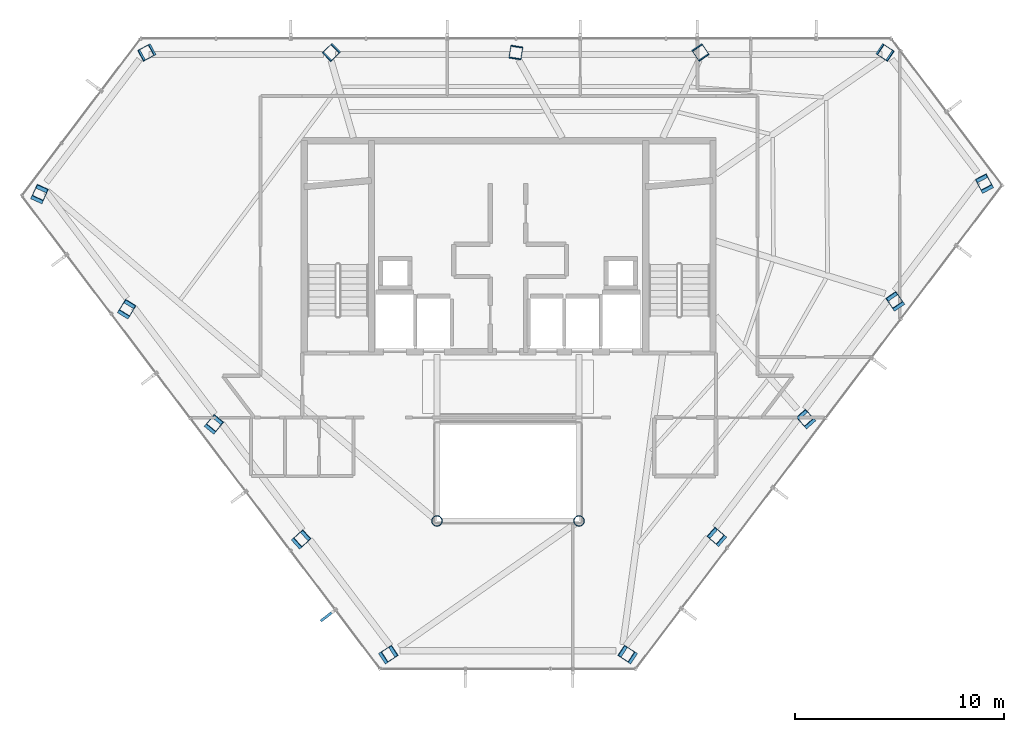
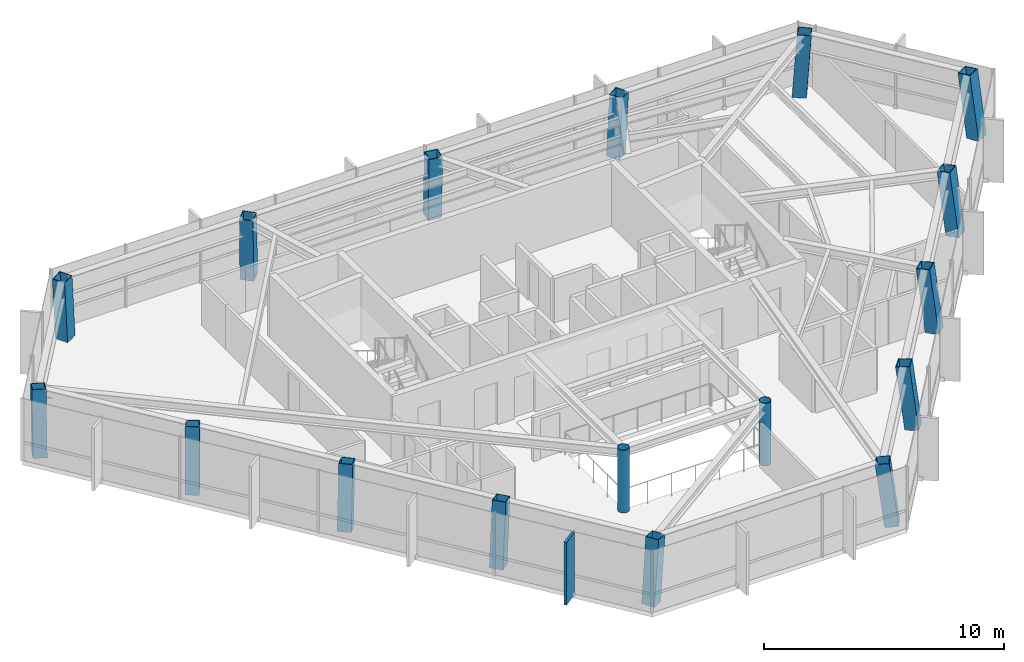
# One storey, part 1 of 27: 17 columns, 1 member, 1 element without a shape of its own.
"""IFC4 building model written with IfcOpenShell, lengths in metres."""

from ifc_helpers import new_model, si_unit, direction, frame, origin, origin_2d, place, context, subcontext, project, spatial, rectangle, hollow_rectangle, hollow_circle, extrude, material, layer, layer_set, material_profile, profile_set, type_object, element, aggregate, save


model = new_model("IFC4")

# Units and contexts
model_context = context("Model", 3, precision=1e-05, world=origin(), true_north=direction((0.0, 1.0)))
body_context = subcontext(model_context, "Body", "Model", "MODEL_VIEW")
ifc_project = project(units=[si_unit("LENGTHUNIT", "METRE"), si_unit("AREAUNIT", "SQUARE_METRE"), si_unit("VOLUMEUNIT", "CUBIC_METRE"), si_unit("PLANEANGLEUNIT", "RADIAN"), si_unit("MASSUNIT", "GRAM", prefix="KILO")], contexts=[model_context])

# Site, building, storey
site_placement = place(None, origin())
site = spatial("IfcSite", under=ifc_project, at=site_placement, CompositionType="ELEMENT")
building_placement = place(site_placement, origin())
building = spatial("IfcBuilding", under=site, at=building_placement, Name="Zarrinselat Tower", CompositionType="ELEMENT")
storey_placement = place(building_placement, frame((0.0, 0.0, 225.760009765625)))
storey = spatial("IfcBuildingStorey", under=building, at=storey_placement, Name="L56", CompositionType="ELEMENT", Elevation=225.760009765625)

# Columns
ifc_material_1 = material(Name="Steel S355J2", Category="steel")
ifc_material_profile_1 = material_profile(ifc_material_1, hollow_circle(Radius=0.25390625, WallThickness=0.02001953125, at=origin_2d()), Name="CHS 508x20")
ifc_profile_set_1 = profile_set([ifc_material_profile_1], Name="Steel S355J2")
column_type_1 = type_object("IfcColumnType", Name="COL-CHS508", PredefinedType="COLUMN", material=ifc_profile_set_1)
for number, where, z_axis, x_axis, name in (
    (1, (35.0, 25.199951171875, 0.0), (0.0, 0.0, 1.0), (1.0, 0.0, 0.0), "L56 Atrium Corner Column 1"),
    (2, (41.800048828125, 25.199951171875, 0.0), (0.0, 0.0, 1.0), (1.0, 0.0, 0.0), "L56 Atrium Corner Column 2"),
):
    element("IfcColumn", number, at=place(storey_placement, frame(where, z_axis=z_axis, x_axis=x_axis)), inside=storey, type_object=column_type_1, Name=name, PredefinedType="COLUMN", context=body_context, shape_type="SweptSolid", body=[
        extrude(hollow_circle(Radius=0.25390625, WallThickness=0.02001953125, at=origin_2d()), origin(), (0.0, 0.0, 1.0), 3.179931640625),
    ])
ifc_material_2 = material(Name="Steel S355J2", Category="steel")
ifc_material_profile_2 = material_profile(ifc_material_2, hollow_rectangle(XDim=0.60009765625, YDim=0.60009765625, WallThickness=0.030029296875, at=origin_2d()), Name="SHS 600x600x30")
ifc_profile_set_2 = profile_set([ifc_material_profile_2], Name="Steel S355J2")
column_type_2 = type_object("IfcColumnType", Name="COL-SHS600", PredefinedType="COLUMN", material=ifc_profile_set_2)
column_1_placement = place(storey_placement, frame((56.41650390625, 47.644287109375, 0.0), z_axis=(0.055157184898, -0.036541634995, 0.997808796246), x_axis=(0.552293119913, 0.833649992321, 0.0)))
element("IfcColumn", 3, at=column_1_placement, inside=storey, type_object=column_type_2, Name="L56 Framed-Tube Column T01", PredefinedType="COLUMN", context=body_context, shape_type="SweptSolid", body=[
    extrude(hollow_rectangle(XDim=0.60009765625, YDim=0.60009765625, WallThickness=0.030029296875, at=origin_2d()), origin(), (0.0, 0.0, 1.0), 3.18701171875),
])
column_2_placement = place(storey_placement, frame((47.599365234375, 47.644287109375, 0.0), z_axis=(0.024620937935, -0.036586253567, 0.999027154518), x_axis=(0.829634225755, 0.558307309156, 0.0)))
element("IfcColumn", 4, at=column_2_placement, inside=storey, type_object=column_type_2, Name="L56 Framed-Tube Column T02", PredefinedType="COLUMN", context=body_context, shape_type="SweptSolid", body=[
    extrude(hollow_rectangle(XDim=0.60009765625, YDim=0.60009765625, WallThickness=0.030029296875, at=origin_2d()), origin(), (0.0, 0.0, 1.0), 3.18310546875),
])
column_3_placement = place(storey_placement, frame((38.782470703125, 47.644287109375, 0.0), z_axis=(-0.005984364795, -0.036596692403, 0.999312198206), x_axis=(0.986892561917, -0.161378657924, 0.0)))
element("IfcColumn", 5, at=column_3_placement, inside=storey, type_object=column_type_2, Name="L56 Framed-Tube Column T03", PredefinedType="COLUMN", context=body_context, shape_type="SweptSolid", body=[
    extrude(hollow_rectangle(XDim=0.60009765625, YDim=0.60009765625, WallThickness=0.030029296875, at=origin_2d()), origin(), (0.0, 0.0, 1.0), 3.18212890625),
])
column_4_placement = place(storey_placement, frame((29.965576171875, 47.644287109375, 0.0), z_axis=(-0.036649433498, -0.036572761043, 0.99865872658), x_axis=(0.706365967986, -0.707846819072, 0.0)))
element("IfcColumn", 6, at=column_4_placement, inside=storey, type_object=column_type_2, Name="L56 Framed-Tube Column T04", PredefinedType="COLUMN", context=body_context, shape_type="SweptSolid", body=[
    extrude(hollow_rectangle(XDim=0.60009765625, YDim=0.60009765625, WallThickness=0.030029296875, at=origin_2d()), origin(), (0.0, 0.0, 1.0), 3.18408203125),
])
column_5_placement = place(storey_placement, frame((21.1484375, 47.644287109375, 0.0), z_axis=(-0.067058934383, -0.036514967695, 0.997080616828), x_axis=(0.478219820724, -0.878240173908, 0.0)))
element("IfcColumn", 7, at=column_5_placement, inside=storey, type_object=column_type_2, Name="L56 Framed-Tube Column T05", PredefinedType="COLUMN", context=body_context, shape_type="SweptSolid", body=[
    extrude(hollow_rectangle(XDim=0.60009765625, YDim=0.60009765625, WallThickness=0.030029296875, at=origin_2d()), origin(), (0.0, 0.0, 1.0), 3.189208984375),
])
column_6_placement = place(storey_placement, frame((15.942138671875, 40.77197265625, 0.0), z_axis=(0.057471887016, 0.127487241437, 0.990173714796), x_axis=(-0.911646666715, 0.410974883743, 0.0)))
element("IfcColumn", 8, at=column_6_placement, inside=storey, type_object=column_type_2, Name="L56 Framed-Tube Column T06", PredefinedType="COLUMN", context=body_context, shape_type="SweptSolid", body=[
    extrude(hollow_rectangle(XDim=0.60009765625, YDim=0.60009765625, WallThickness=0.030029296875, at=origin_2d()), origin(), (0.0, 0.0, 1.0), 3.21142578125),
])
column_7_placement = place(storey_placement, frame((20.10986328125, 35.270751953125, 0.0), z_axis=(0.068873578437, 0.11263303435, 0.991246805678), x_axis=(-0.853139309653, 0.521683158943, 0.0)))
element("IfcColumn", 9, at=column_7_placement, inside=storey, type_object=column_type_2, Name="L56 Framed-Tube Column T07", PredefinedType="COLUMN", context=body_context, shape_type="SweptSolid", body=[
    extrude(hollow_rectangle(XDim=0.60009765625, YDim=0.60009765625, WallThickness=0.030029296875, at=origin_2d()), origin(), (0.0, 0.0, 1.0), 3.2080078125),
])
column_8_placement = place(storey_placement, frame((24.277587890625, 29.769287109375, 0.0), z_axis=(0.080271085663, 0.097787546482, 0.991964791996), x_axis=(-0.772937109765, 0.634482643063, 0.0)))
element("IfcColumn", 10, at=column_8_placement, inside=storey, type_object=column_type_2, Name="L56 Framed-Tube Column T08", PredefinedType="COLUMN", context=body_context, shape_type="SweptSolid", body=[
    extrude(hollow_rectangle(XDim=0.60009765625, YDim=0.60009765625, WallThickness=0.030029296875, at=origin_2d()), origin(), (0.0, 0.0, 1.0), 3.205810546875),
])
column_9_placement = place(storey_placement, frame((28.445068359375, 24.26806640625, 0.0), z_axis=(0.091729024292, 0.082815157313, 0.992334336714), x_axis=(-0.670121962629, 0.742251005525, 0.0)))
element("IfcColumn", 11, at=column_9_placement, inside=storey, type_object=column_type_2, Name="L56 Framed-Tube Column T09", PredefinedType="COLUMN", context=body_context, shape_type="SweptSolid", body=[
    extrude(hollow_rectangle(XDim=0.60009765625, YDim=0.60009765625, WallThickness=0.030029296875, at=origin_2d()), origin(), (0.0, 0.0, 1.0), 3.20458984375),
])
for number, where, z_axis, x_axis, name in (
    (12, (32.61279296875, 18.7666015625, 0.0), (0.103083407786, 0.0678080066, 0.992358748276), (-0.549559795641, 0.835454385957, 0.0), "L56 Framed-Tube Column T10"),
    (13, (44.187255859375, 18.7666015625, 0.0), (-0.103083407786, 0.0678080066, 0.992358748276), (-0.549559795641, -0.835454385957, 0.0), "L56 Framed-Tube Column T11"),
    (14, (48.450439453125, 24.394287109375, 0.0), (-0.093179207981, 0.080836581903, 0.992362374451), (-0.65530667929, -0.755362930039, 0.0), "L56 Framed-Tube Column T12"),
):
    element("IfcColumn", number, at=place(storey_placement, frame(where, z_axis=z_axis, x_axis=x_axis)), inside=storey, type_object=column_type_2, Name=name, PredefinedType="COLUMN", context=body_context, shape_type="SweptSolid", body=[
        extrude(hollow_rectangle(XDim=0.60009765625, YDim=0.60009765625, WallThickness=0.030029296875, at=origin_2d()), origin(), (0.0, 0.0, 1.0), 3.204345703125),
    ])
column_10_placement = place(storey_placement, frame((52.713623046875, 30.021728515625, 0.0), z_axis=(-0.0832526404, 0.093840121659, 0.992100312183), x_axis=(-0.748045467566, -0.66364748056, 0.0)))
element("IfcColumn", 15, at=column_10_placement, inside=storey, type_object=column_type_2, Name="L56 Framed-Tube Column T13", PredefinedType="COLUMN", context=body_context, shape_type="SweptSolid", body=[
    extrude(hollow_rectangle(XDim=0.60009765625, YDim=0.60009765625, WallThickness=0.030029296875, at=origin_2d()), origin(), (0.0, 0.0, 1.0), 3.205322265625),
])
column_11_placement = place(storey_placement, frame((56.97705078125, 35.6494140625, 0.0), z_axis=(-0.073388022218, 0.106732372562, 0.991575715133), x_axis=(-0.824007625025, -0.566578709361, 0.0)))
element("IfcColumn", 16, at=column_11_placement, inside=storey, type_object=column_type_2, Name="L56 Framed-Tube Column T14", PredefinedType="COLUMN", context=body_context, shape_type="SweptSolid", body=[
    extrude(hollow_rectangle(XDim=0.60009765625, YDim=0.60009765625, WallThickness=0.030029296875, at=origin_2d()), origin(), (0.0, 0.0, 1.0), 3.20703125),
])
column_12_placement = place(storey_placement, frame((61.240234375, 41.27685546875, 0.0), z_axis=(-0.063440187121, 0.1197300414, 0.990777502694), x_axis=(-0.883623997673, -0.468197213507, 0.0)))
element("IfcColumn", 17, at=column_12_placement, inside=storey, type_object=column_type_2, Name="L56 Framed-Tube Column T15", PredefinedType="COLUMN", context=body_context, shape_type="SweptSolid", body=[
    extrude(hollow_rectangle(XDim=0.60009765625, YDim=0.60009765625, WallThickness=0.030029296875, at=origin_2d()), origin(), (0.0, 0.0, 1.0), 3.20947265625),
])

# Curtain wall, member
ifc_material_3 = material(Name="Extruded Aluminium Alloy EN AW-6063 T6", Category="aluminium")
ifc_layer = layer(ifc_material_3, 0.169921875)
ifc_layer_set = layer_set([ifc_layer], Name="Extruded Aluminium Alloy EN AW-6063 T6")
curtain_wall_type = type_object("IfcCurtainWallType", Name="CWS-RES", PredefinedType="NOTDEFINED", material=ifc_layer_set)
curtain_wall_placement = place(storey_placement, origin())
curtain_wall = element("IfcCurtainWall", 18, at=curtain_wall_placement, inside=storey, type_object=curtain_wall_type, Name="L56 Unitised Curtain Wall CW-L56-E03", PredefinedType="NOTDEFINED")
ifc_material_4 = material(Name="Honed Cream Travertine Stone", Category="masonry")
ifc_material_profile_3 = material_profile(ifc_material_4, rectangle(XDim=0.1201171875, YDim=0.85009765625, at=origin_2d()), Name="FIN 850x120")
ifc_profile_set_3 = profile_set([ifc_material_profile_3], Name="Honed Cream Travertine Stone")
member_type = type_object("IfcMemberType", Name="MEM-STONE-FIN", PredefinedType="USERDEFINED", material=ifc_profile_set_3)
member_placement = place(storey_placement, frame((29.777587890625, 20.6708984375, 0.0), z_axis=(0.0, 0.0, 1.0), x_axis=(-0.603859787908, 0.797090557307, 0.0)))
member = element("IfcMember", 19, at=member_placement, type_object=member_type, Name="L56 Stone Shading Fin CW-L56-E03-07", ObjectType="FIN", PredefinedType="USERDEFINED", context=body_context, shape_type="SweptSolid", body=[
    extrude(rectangle(XDim=0.1201171875, YDim=0.85009765625, at=origin_2d()), origin(), (0.0, 0.0, 1.0), 3.179931640625),
])
aggregate(curtain_wall, [member])

save(model, "model.ifc")
